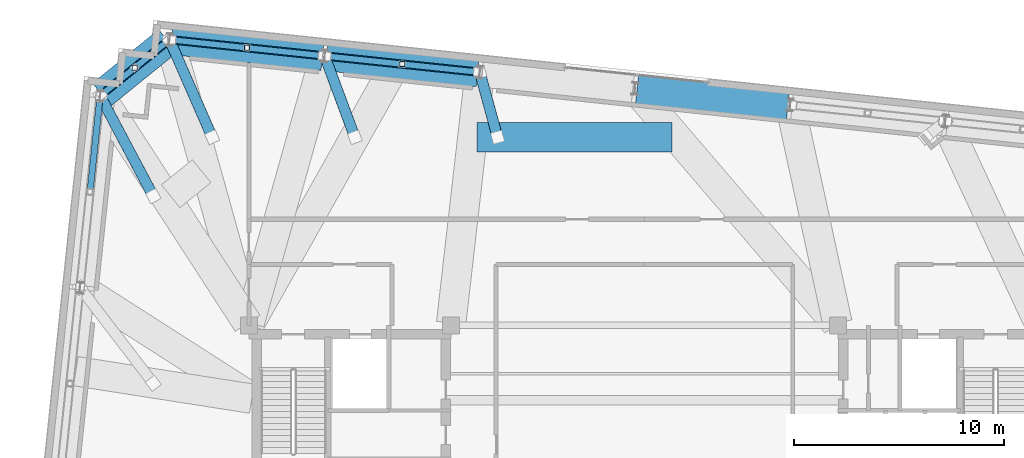
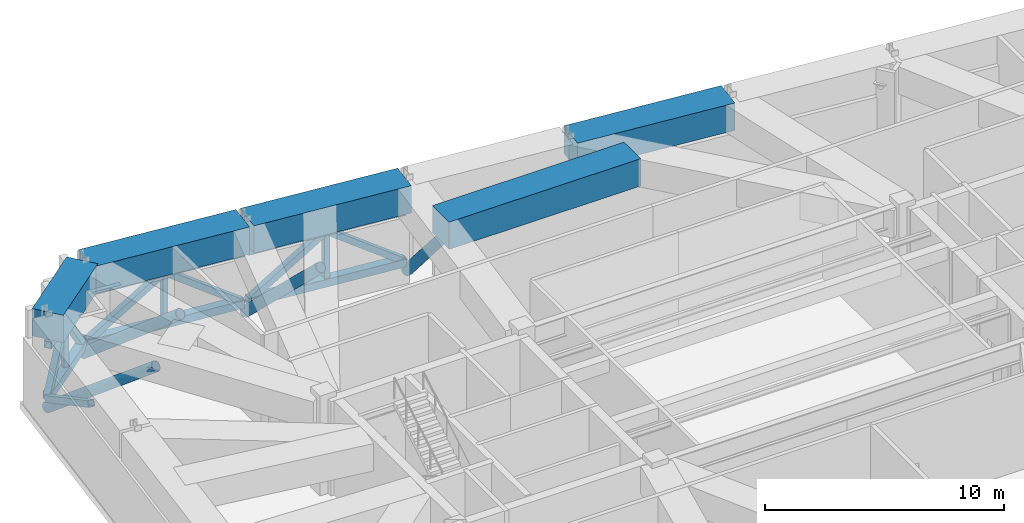
# One storey, part 11 of 21: 20 members, 5 beams.
"""IFC4 building model written with IfcOpenShell, lengths in metres."""

from ifc_helpers import new_model, si_unit, direction, frame, origin, origin_2d, place, context, subcontext, project, spatial, rectangle, hollow_rectangle, hollow_circle, extrude, material, material_profile, profile_set, type_object, element, save


model = new_model("IFC4")

# Units and contexts
model_context = context("Model", 3, precision=1e-05, world=origin(), true_north=direction((0.0, 1.0)))
body_context = subcontext(model_context, "Body", "Model", "MODEL_VIEW")
ifc_project = project(units=[si_unit("LENGTHUNIT", "METRE"), si_unit("AREAUNIT", "SQUARE_METRE"), si_unit("VOLUMEUNIT", "CUBIC_METRE"), si_unit("PLANEANGLEUNIT", "RADIAN"), si_unit("MASSUNIT", "GRAM", prefix="KILO")], contexts=[model_context])

# Site, building, storey
site_placement = place(None, origin())
site = spatial("IfcSite", under=ifc_project, at=site_placement, CompositionType="ELEMENT")
building_placement = place(site_placement, origin())
building = spatial("IfcBuilding", under=site, at=building_placement, Name="Qobustan Lattice House", CompositionType="ELEMENT")
storey_placement = place(building_placement, frame((0.0, 0.0, 223.199951171875)))
storey = spatial("IfcBuildingStorey", under=building, at=storey_placement, Name="L63", CompositionType="ELEMENT", Elevation=223.199951171875)

# Beams
ifc_material_1 = material(Name="Concrete C60/75", Category="concrete")
ifc_material_profile_1 = material_profile(ifc_material_1, rectangle(XDim=1.39990234375, YDim=1.39990234375, at=origin_2d()), Name="RC1400x1400")
ifc_profile_set_1 = profile_set([ifc_material_profile_1], Name="Concrete C60/75")
beam_type = type_object("IfcBeamType", Name="BM-TRG-RC1400", PredefinedType="USERDEFINED", material=ifc_profile_set_1)
for number, where, z_axis, x_axis, name in (
    (1, (6.827392578125, 16.093505859375, 4.1201171875), (-0.994524529937, 0.104503393985, 0.0), (-0.104503393985, -0.994524529937, 0.0), "L63 TT4 lower perimeter transfer girder N3-N4"),
    (2, (-7.9248046875, 17.64404296875, 4.1201171875), (-0.994524529937, 0.104503393985, 0.0), (-0.104503393985, -0.994524529937, 0.0), "L63 TT4 lower perimeter transfer girder N5-N6"),
    (3, (-15.30078125, 18.419189453125, 4.1201171875), (-0.994521013309, 0.10453685516, 0.0), (-0.10453685516, -0.994521013309, 0.0), "L63 TT4 lower perimeter transfer girder N6-N7"),
):
    element("IfcBeam", number, at=place(storey_placement, frame(where, z_axis=z_axis, x_axis=x_axis)), inside=storey, type_object=beam_type, Name=name, ObjectType="GIRDER", PredefinedType="USERDEFINED", context=body_context, shape_type="SweptSolid", body=[
        extrude(rectangle(XDim=1.39990234375, YDim=1.39990234375, at=origin_2d()), origin(), (0.0, 0.0, 1.0), 7.216552734375),
    ])
beam_1_placement = place(storey_placement, frame((-22.655029296875, 19.12109375, 4.1201171875), z_axis=(-0.777125313448, -0.629345888362, 0.0), x_axis=(0.629345888362, -0.777125313448, 0.0)))
element("IfcBeam", 4, at=beam_1_placement, inside=storey, type_object=beam_type, Name="L63 TT4 lower perimeter transfer girder N7-W1", ObjectType="GIRDER", PredefinedType="USERDEFINED", context=body_context, shape_type="SweptSolid", body=[
    extrude(rectangle(XDim=1.39990234375, YDim=1.39990234375, at=origin_2d()), origin(), (0.0, 0.0, 1.0), 4.04248046875),
])
beam_2_placement = place(storey_placement, frame((-7.95751953125, 14.550048828125, 4.1201171875), z_axis=(1.0, 0.0, 0.0), x_axis=(0.0, 1.0, 0.0)))
element("IfcBeam", 5, at=beam_2_placement, inside=storey, type_object=beam_type, Name="L63 TT4 primary column transfer girder N4", ObjectType="GIRDER", PredefinedType="USERDEFINED", context=body_context, shape_type="SweptSolid", body=[
    extrude(rectangle(XDim=1.39990234375, YDim=1.39990234375, at=origin_2d()), origin(), (0.0, 0.0, 1.0), 9.2666015625),
])

# Members
ifc_material_2 = material(Name="Steel S355", Category="steel")
ifc_material_profile_2 = material_profile(ifc_material_2, hollow_rectangle(XDim=0.300048828125, YDim=0.300048828125, WallThickness=0.01611328125, at=origin_2d()), Name="SHS300x300x16")
ifc_profile_set_2 = profile_set([ifc_material_profile_2], Name="Steel S355")
member_type_1 = type_object("IfcMemberType", Name="MEM-BRC-SHS300", PredefinedType="BRACE", material=ifc_profile_set_2)
member_1_placement = place(storey_placement, frame((-7.9248046875, 17.64404296875, 0.550048828125), z_axis=(-0.807916613296, 0.084870271529, 0.583153310006), x_axis=(-0.104473447549, -0.994527676215, 0.0)))
element("IfcMember", 6, at=member_1_placement, inside=storey, type_object=member_type_1, Name="L63 TT4 belt truss web diagonal N5-N6 A", PredefinedType="BRACE", context=body_context, shape_type="SweptSolid", body=[
    extrude(hollow_rectangle(XDim=0.300048828125, YDim=0.300048828125, WallThickness=0.01611328125, at=origin_2d()), origin(), (0.0, 0.0, 1.0), 4.44140625),
])
for number, where, z_axis, x_axis, name in (
    (7, (-11.51318359375, 18.02099609375, 3.14013671875), (-0.807931930746, 0.084921071706, -0.583124692379), (-0.104533338099, -0.994521382991, 0.0), "L63 TT4 belt truss web diagonal N5-N6 B"),
    (8, (-15.30078125, 18.419189453125, 0.550048828125), (-0.807931930746, 0.084921071706, 0.583124692379), (-0.104533338099, -0.994521382991, 0.0), "L63 TT4 belt truss web diagonal N6-N7 A"),
    (9, (-18.889404296875, 18.79638671875, 3.14013671875), (-0.807912843065, 0.084924843008, -0.583150588657), (-0.104540372455, -0.99452064359, 0.0), "L63 TT4 belt truss web diagonal N6-N7 B"),
):
    element("IfcMember", number, at=place(storey_placement, frame(where, z_axis=z_axis, x_axis=x_axis)), inside=storey, type_object=member_type_1, Name=name, PredefinedType="BRACE", context=body_context, shape_type="SweptSolid", body=[
        extrude(hollow_rectangle(XDim=0.300048828125, YDim=0.300048828125, WallThickness=0.01611328125, at=origin_2d()), origin(), (0.0, 0.0, 1.0), 4.441650390625),
    ])
for number, where, z_axis, x_axis, name in (
    (10, (-22.655029296875, 19.12109375, 0.550048828125), (-0.478114834726, -0.3871585777, 0.788361871559), (0.62930941407, -0.777154850312, 0.0), "L63 TT4 belt truss web diagonal N7-W1 A"),
    (11, (-24.225830078125, 17.84912109375, 3.14013671875), (-0.47810107863, -0.387221747084, -0.78833918918), (0.629382358496, -0.777095777118, 0.0), "L63 TT4 belt truss web diagonal N7-W1 B"),
):
    element("IfcMember", number, at=place(storey_placement, frame(where, z_axis=z_axis, x_axis=x_axis)), inside=storey, type_object=member_type_1, Name=name, PredefinedType="BRACE", context=body_context, shape_type="SweptSolid", body=[
        extrude(hollow_rectangle(XDim=0.300048828125, YDim=0.300048828125, WallThickness=0.01611328125, at=origin_2d()), origin(), (0.0, 0.0, 1.0), 3.285400390625),
    ])
member_2_placement = place(storey_placement, frame((-25.885009765625, 16.41455078125, 0.550048828125), z_axis=(-0.090485593146, -0.861145590216, 0.500240572009), x_axis=(0.994524831041, -0.104500528433, 0.0)))
element("IfcMember", 12, at=member_2_placement, inside=storey, type_object=member_type_1, Name="L63 TT4 belt truss web diagonal W1-W2 A", PredefinedType="BRACE", context=body_context, shape_type="SweptSolid", body=[
    extrude(hollow_rectangle(XDim=0.300048828125, YDim=0.300048828125, WallThickness=0.01611328125, at=origin_2d()), origin(), (0.0, 0.0, 1.0), 5.177734375),
])
ifc_material_3 = material(Name="Steel S355", Category="steel")
ifc_material_profile_3 = material_profile(ifc_material_3, hollow_rectangle(XDim=0.35009765625, YDim=0.35009765625, WallThickness=0.01611328125, at=origin_2d()), Name="SHS350x350x16")
ifc_profile_set_3 = profile_set([ifc_material_profile_3], Name="Steel S355")
member_type_2 = type_object("IfcMemberType", Name="MEM-CHD-SHS350", PredefinedType="CHORD", material=ifc_profile_set_3)
for number, where, z_axis, x_axis, name in (
    (13, (-7.9248046875, 17.64404296875, 3.14013671875), (-0.994524529937, 0.104503393985, 0.0), (-0.104503393985, -0.994524529937, 0.0), "L63 TT4 belt truss top chord N5-N6"),
    (14, (-15.30078125, 18.419189453125, 3.14013671875), (-0.994521013309, 0.10453685516, 0.0), (-0.10453685516, -0.994521013309, 0.0), "L63 TT4 belt truss top chord N6-N7"),
):
    element("IfcMember", number, at=place(storey_placement, frame(where, z_axis=z_axis, x_axis=x_axis)), inside=storey, type_object=member_type_2, Name=name, PredefinedType="CHORD", context=body_context, shape_type="SweptSolid", body=[
        extrude(hollow_rectangle(XDim=0.35009765625, YDim=0.35009765625, WallThickness=0.01611328125, at=origin_2d()), origin(), (0.0, 0.0, 1.0), 7.216552734375),
    ])
member_3_placement = place(storey_placement, frame((-22.655029296875, 19.12109375, 3.14013671875), z_axis=(-0.777125313448, -0.629345888362, 0.0), x_axis=(0.629345888362, -0.777125313448, 0.0)))
element("IfcMember", 15, at=member_3_placement, inside=storey, type_object=member_type_2, Name="L63 TT4 belt truss top chord N7-W1", PredefinedType="CHORD", context=body_context, shape_type="SweptSolid", body=[
    extrude(hollow_rectangle(XDim=0.35009765625, YDim=0.35009765625, WallThickness=0.01611328125, at=origin_2d()), origin(), (0.0, 0.0, 1.0), 4.04248046875),
])
ifc_material_4 = material(Name="Steel S355", Category="steel")
ifc_material_profile_4 = material_profile(ifc_material_4, hollow_rectangle(XDim=0.39990234375, YDim=0.39990234375, WallThickness=0.02001953125, at=origin_2d()), Name="SHS400x400x20")
ifc_profile_set_4 = profile_set([ifc_material_profile_4], Name="Steel S355")
member_type_3 = type_object("IfcMemberType", Name="MEM-CHD-SHS400", PredefinedType="CHORD", material=ifc_profile_set_4)
for number, where, z_axis, x_axis, name in (
    (16, (-7.9248046875, 17.64404296875, 0.550048828125), (-0.994524529937, 0.104503393985, 0.0), (-0.104503393985, -0.994524529937, 0.0), "L63 TT4 belt truss bottom chord N5-N6"),
    (17, (-15.30078125, 18.419189453125, 0.550048828125), (-0.994521013309, 0.10453685516, 0.0), (-0.10453685516, -0.994521013309, 0.0), "L63 TT4 belt truss bottom chord N6-N7"),
):
    element("IfcMember", number, at=place(storey_placement, frame(where, z_axis=z_axis, x_axis=x_axis)), inside=storey, type_object=member_type_3, Name=name, PredefinedType="CHORD", context=body_context, shape_type="SweptSolid", body=[
        extrude(hollow_rectangle(XDim=0.39990234375, YDim=0.39990234375, WallThickness=0.02001953125, at=origin_2d()), origin(), (0.0, 0.0, 1.0), 7.216552734375),
    ])
member_4_placement = place(storey_placement, frame((-22.655029296875, 19.12109375, 0.550048828125), z_axis=(-0.777125313448, -0.629345888362, 0.0), x_axis=(0.629345888362, -0.777125313448, 0.0)))
element("IfcMember", 18, at=member_4_placement, inside=storey, type_object=member_type_3, Name="L63 TT4 belt truss bottom chord N7-W1", PredefinedType="CHORD", context=body_context, shape_type="SweptSolid", body=[
    extrude(hollow_rectangle(XDim=0.39990234375, YDim=0.39990234375, WallThickness=0.02001953125, at=origin_2d()), origin(), (0.0, 0.0, 1.0), 4.04248046875),
])
ifc_material_5 = material(Name="Steel S355", Category="steel")
ifc_material_profile_5 = material_profile(ifc_material_5, hollow_rectangle(XDim=0.25, YDim=0.25, WallThickness=0.012451171875, at=origin_2d()), Name="SHS250x250x12.5")
ifc_profile_set_5 = profile_set([ifc_material_profile_5], Name="Steel S355")
member_type_4 = type_object("IfcMemberType", Name="MEM-PST-SHS250", PredefinedType="POST", material=ifc_profile_set_5)
for number, where, z_axis, x_axis, name in (
    (19, (-11.51318359375, 18.02099609375, 0.550048828125), (0.0, 0.0, 1.0), (1.0, 0.0, 0.0), "L63 TT4 belt truss vertical post N5-N6"),
    (20, (-18.889404296875, 18.79638671875, 0.550048828125), (0.0, 0.0, 1.0), (1.0, 0.0, 0.0), "L63 TT4 belt truss vertical post N6-N7"),
    (21, (-24.225830078125, 17.84912109375, 0.550048828125), (0.0, 0.0, 1.0), (1.0, 0.0, 0.0), "L63 TT4 belt truss vertical post N7-W1"),
):
    element("IfcMember", number, at=place(storey_placement, frame(where, z_axis=z_axis, x_axis=x_axis)), inside=storey, type_object=member_type_4, Name=name, PredefinedType="POST", context=body_context, shape_type="SweptSolid", body=[
        extrude(hollow_rectangle(XDim=0.25, YDim=0.25, WallThickness=0.012451171875, at=origin_2d()), origin(), (0.0, 0.0, 1.0), 2.590087890625),
    ])
ifc_material_6 = material(Name="Steel S355", Category="steel")
ifc_material_profile_6 = material_profile(ifc_material_6, hollow_circle(Radius=0.25390625, WallThickness=0.02001953125, at=origin_2d()), Name="CHS508x20")
ifc_profile_set_6 = profile_set([ifc_material_profile_6], Name="Steel S355")
member_type_5 = type_object("IfcMemberType", Name="MEM-STR-CHS508", PredefinedType="STRUT", material=ifc_profile_set_6)
member_5_placement = place(storey_placement, frame((-7.8251953125, 17.633544921875, 0.01513671875), z_axis=(0.161801953091, -0.592679427939, 0.789019152919), x_axis=(0.964696809384, 0.263362992776, 0.0)))
element("IfcMember", 22, at=member_5_placement, inside=storey, type_object=member_type_5, Name="L63 TT4 column transfer strut N5", PredefinedType="STRUT", context=body_context, shape_type="SweptSolid", body=[
    extrude(hollow_circle(Radius=0.25390625, WallThickness=0.02001953125, at=origin_2d()), origin(), (0.0, 0.0, 1.0), 5.20263671875),
])
member_6_placement = place(storey_placement, frame((-15.201171875, 18.40869140625, 0.01513671875), z_axis=(0.246760971918, -0.663726542063, 0.706099214062), x_axis=(0.937317380218, 0.348476869735, 0.0)))
element("IfcMember", 23, at=member_6_placement, inside=storey, type_object=member_type_5, Name="L63 TT4 column transfer strut N6", PredefinedType="STRUT", context=body_context, shape_type="SweptSolid", body=[
    extrude(hollow_circle(Radius=0.25390625, WallThickness=0.02001953125, at=origin_2d()), origin(), (0.0, 0.0, 1.0), 5.813720703125),
])
member_7_placement = place(storey_placement, frame((-22.577392578125, 19.18408203125, 0.01513671875), z_axis=(0.311217496319, -0.71137033931, 0.630155465211), x_axis=(0.916160658189, 0.400811237849, 0.0)))
element("IfcMember", 24, at=member_7_placement, inside=storey, type_object=member_type_5, Name="L63 TT4 column transfer strut N7", PredefinedType="STRUT", context=body_context, shape_type="SweptSolid", body=[
    extrude(hollow_circle(Radius=0.25390625, WallThickness=0.02001953125, at=origin_2d()), origin(), (0.0, 0.0, 1.0), 6.51416015625),
])
member_8_placement = place(storey_placement, frame((-25.87451171875, 16.513916015625, 0.01513671875), z_axis=(0.372535007875, -0.703024720374, 0.605783715901), x_axis=(0.883608310074, 0.46822681936, 0.0)))
element("IfcMember", 25, at=member_8_placement, inside=storey, type_object=member_type_5, Name="L63 TT4 column transfer strut W1", PredefinedType="STRUT", context=body_context, shape_type="SweptSolid", body=[
    extrude(hollow_circle(Radius=0.25390625, WallThickness=0.02001953125, at=origin_2d()), origin(), (0.0, 0.0, 1.0), 6.7763671875),
])

save(model, "model.ifc")
